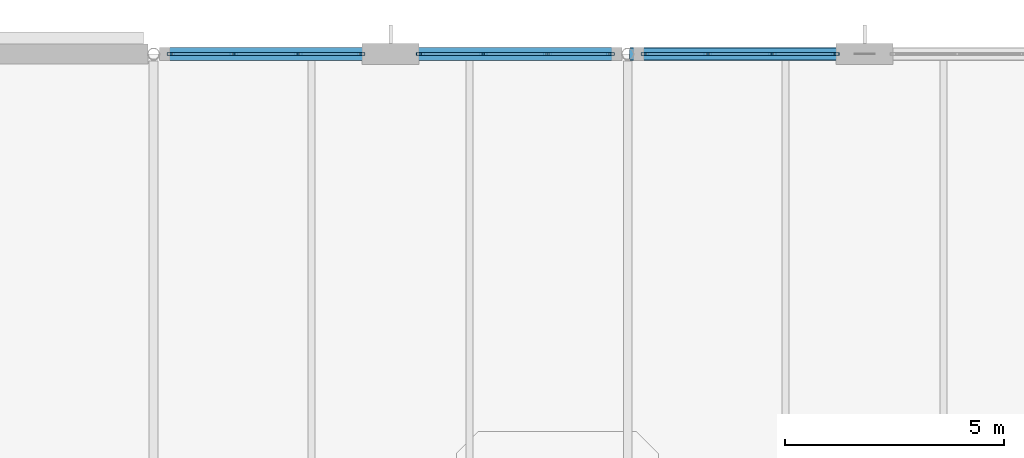
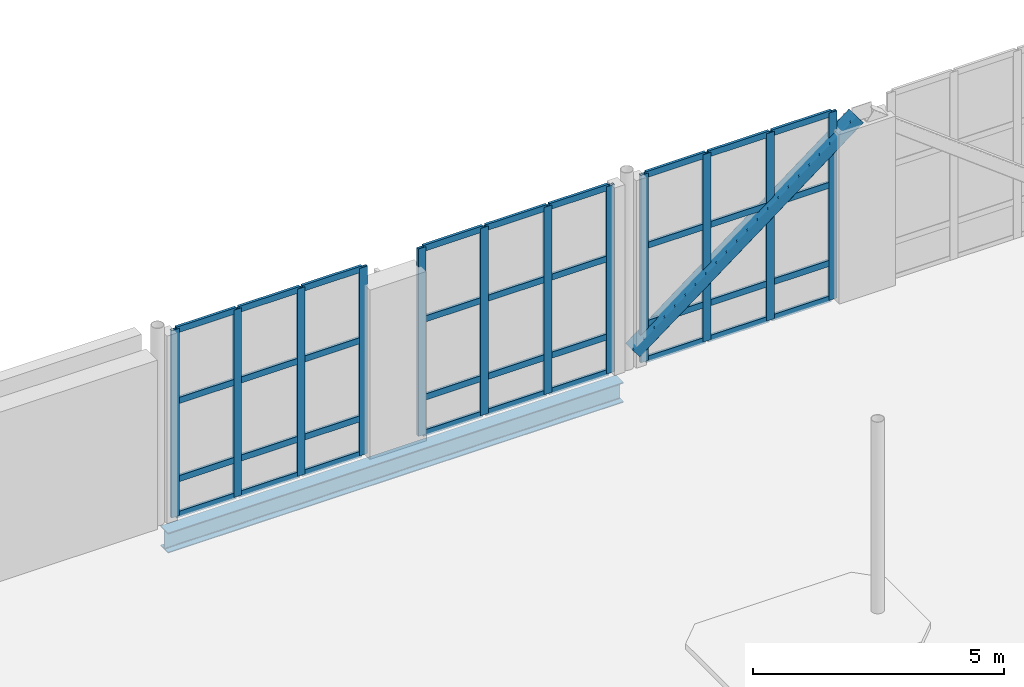
# One storey, part 44 of 100: 49 members, 1 beam, 3 elements without a shape of their own.
"""IFC4 building model written with IfcOpenShell, lengths in metres."""

import ifcopenshell
import ifcopenshell.guid

model = None  # the IFC model being written
_history = None  # IfcOwnerHistory: only IFC2X3 demands one
_inside = {}  # id of a spatial element -> (the spatial element, [elements in it])
_under = {}  # id of a project, library or spatial element -> (it, [spatial elements below it])
_declared = {}  # id of a project -> (the project, [libraries it declares])
_typed = {}  # id of a type object -> (the type object, [elements of that type])
_made_of = {}  # id of a material, layer set ... -> (it, [elements and type objects made of it])


def new_model(schema):
    """Start an empty IFC model of exactly this schema.

    Asked for "IFC4X3", IfcOpenShell would pick the latest addendum, in which some entities
    have other attributes; the version numbers below select the first issue.
    IFC2X3 requires an IfcOwnerHistory on every rooted entity: one is made here for all.
    """
    global model, _history
    if schema == "IFC4X3":
        model = ifcopenshell.file(schema_version=(4, 3, 0, 0))
    else:
        model = ifcopenshell.file(schema=schema)
    _inside.clear()
    _under.clear()
    _declared.clear()
    _typed.clear()
    _made_of.clear()
    _history = None
    if model.schema == "IFC2X3":
        org = make("IfcOrganization", Name="unknown")
        user = make(
            "IfcPersonAndOrganization",
            ThePerson=make("IfcPerson", FamilyName="unknown"),
            TheOrganization=org,
        )
        app = make(
            "IfcApplication",
            ApplicationDeveloper=org,
            Version="unknown",
            ApplicationFullName="unknown",
            ApplicationIdentifier="unknown",
        )
        _history = make(
            "IfcOwnerHistory",
            OwningUser=user,
            OwningApplication=app,
            ChangeAction="ADDED",
            CreationDate=0,
        )
    return model


def make(cls, **values):
    """One entity of the class cls with the attributes given. An attribute that is None is left unset."""
    return model.create_entity(
        cls, **{name: value for name, value in values.items() if value is not None}
    )


def rooted(cls, **values):
    """An entity with a GlobalId (a new one), such as an element, a storey or a relation."""
    return make(cls, GlobalId=ifcopenshell.guid.new(), OwnerHistory=_history, **values)


def si_unit(unit_type, name, prefix=None):
    """IfcSIUnit, for example si_unit("LENGTHUNIT", "METRE", prefix="MILLI")."""
    return make("IfcSIUnit", UnitType=unit_type, Prefix=prefix, Name=name)


def assignment(units):
    """IfcUnitAssignment: the units of a project."""
    return None if units is None else make("IfcUnitAssignment", Units=units)


def point(xyz):
    """IfcCartesianPoint."""
    return None if xyz is None else make("IfcCartesianPoint", Coordinates=xyz)


def direction(xyz):
    """IfcDirection."""
    return None if xyz is None else make("IfcDirection", DirectionRatios=xyz)


def frame(location, z_axis=None, x_axis=None):
    """IfcAxis2Placement3D, a coordinate frame: its origin and axes. An axis left out is left unset."""
    return make(
        "IfcAxis2Placement3D",
        Location=point(location),
        Axis=direction(z_axis),
        RefDirection=direction(x_axis),
    )


def frame_2d(location, x_axis=None):
    """IfcAxis2Placement2D, a coordinate frame in the plane: its origin and x axis."""
    return make(
        "IfcAxis2Placement2D", Location=point(location), RefDirection=direction(x_axis)
    )


def origin():
    """The frame at (0, 0, 0) with its axes left unset."""
    return frame((0.0, 0.0, 0.0))


def origin_2d():
    """The frame at (0, 0) in the plane with its x axis left unset."""
    return frame_2d((0.0, 0.0))


def place(relative_to, where):
    """IfcLocalPlacement: puts the frame where relative to a parent placement (None: the world)."""
    return make(
        "IfcLocalPlacement", PlacementRelTo=relative_to, RelativePlacement=where
    )


def context(
    kind, dimensions, precision=None, world=None, true_north=None, identifier=None
):
    """IfcGeometricRepresentationContext, for example the 3D "Model" context."""
    return make(
        "IfcGeometricRepresentationContext",
        ContextIdentifier=identifier,
        ContextType=kind,
        CoordinateSpaceDimension=dimensions,
        Precision=precision,
        WorldCoordinateSystem=world,
        TrueNorth=true_north,
    )


def subcontext(parent, identifier, kind, view, scale=None):
    """IfcGeometricRepresentationSubContext, for example "Body" below "Model"."""
    return make(
        "IfcGeometricRepresentationSubContext",
        ContextIdentifier=identifier,
        ContextType=kind,
        ParentContext=parent,
        TargetScale=scale,
        TargetView=view,
    )


def project(units=None, contexts=None):
    """IfcProject with its units and contexts."""
    return rooted(
        "IfcProject",
        Name="project",
        RepresentationContexts=contexts,
        UnitsInContext=assignment(units),
    )


def spatial(cls, under=None, at=None, **own):
    """A site, building, storey or space (cls), placed at a placement, below another one or the project."""
    s = rooted(cls, ObjectPlacement=at, **own)
    if under is not None:
        _under.setdefault(under.id(), (under, []))[1].append(s)
    return s


def profile(cls, at=None, kind="AREA", **sizes):
    """A parametric profile (cls). Its sizes go by their IFC names, for example OverallWidth=200.0."""
    return make(cls, ProfileType=kind, Position=at, **sizes)


def hollow_rectangle(**sizes):
    """IfcRectangleHollowProfileDef."""
    return profile("IfcRectangleHollowProfileDef", **sizes)


def i_section(**sizes):
    """IfcIShapeProfileDef."""
    return profile("IfcIShapeProfileDef", **sizes)


def extrude(swept, where, along, depth):
    """IfcExtrudedAreaSolid: the profile swept, set in the frame where, extruded along a direction by depth."""
    return make(
        "IfcExtrudedAreaSolid",
        SweptArea=swept,
        Position=where,
        ExtrudedDirection=direction(along),
        Depth=depth,
    )


def shape(context_of_items, identifier, shape_type, items):
    """IfcShapeRepresentation: the items that make up one representation, for example the "Body"."""
    return make(
        "IfcShapeRepresentation",
        ContextOfItems=context_of_items,
        RepresentationIdentifier=identifier,
        RepresentationType=shape_type,
        Items=items,
    )


def material(Name=None, Category=None):
    """IfcMaterial."""
    return make("IfcMaterial", Name=Name, Category=Category)


def layer(
    of_material, thickness, ventilated=None, Name=None, Category=None, Priority=None
):
    """IfcMaterialLayer: one layer of a wall or slab, of a material (None: an air gap)."""
    return make(
        "IfcMaterialLayer",
        Material=of_material,
        LayerThickness=thickness,
        IsVentilated=ventilated,
        Name=Name,
        Category=Category,
        Priority=Priority,
    )


def layer_set(layers, Name=None):
    """IfcMaterialLayerSet."""
    return make("IfcMaterialLayerSet", MaterialLayers=layers, LayerSetName=Name)


def material_profile(
    of_material, cross_section, Name=None, Category=None, Priority=None
):
    """IfcMaterialProfile: a cross section and its material."""
    return make(
        "IfcMaterialProfile",
        Name=Name,
        Material=of_material,
        Profile=cross_section,
        Priority=Priority,
        Category=Category,
    )


def profile_set(profiles, Name=None, composite=None):
    """IfcMaterialProfileSet."""
    return make(
        "IfcMaterialProfileSet",
        Name=Name,
        MaterialProfiles=profiles,
        CompositeProfile=composite,
    )


def made_of(thing, what):
    """Note that an element or type object is made of a material, layer set ...; save() writes the relation."""
    if what is not None:
        _made_of.setdefault(what.id(), (what, []))[1].append(thing)
    return thing


def type_object(cls, material=None, **own):
    """A type object (cls), such as IfcWallType, which elements share."""
    return made_of(rooted(cls, **own), material)


def element(
    cls,
    number,
    at=None,
    inside=None,
    cuts=None,
    type_object=None,
    material=None,
    context=None,
    identifier="Body",
    shape_type=None,
    held_by="IfcProductDefinitionShape",
    body=None,
    shapes=None,
    **own,
):
    """One element of the class cls, such as IfcWall. Its Tag is "e" and its number.

    at: its placement. inside: the storey or other place that contains it. cuts: it is an
    opening in that element (IfcRelVoidsElement). A single representation is given by context,
    identifier, shape_type and body (its items); several are given by shapes. held_by: the class
    of the entity that holds the representations. save() writes the other relations.
    """
    e = rooted(cls, Tag="e%d" % number, ObjectPlacement=at, **own)
    if body is not None:
        shapes = [shape(context, identifier, shape_type, body)]
    if shapes is not None:
        e.Representation = make(held_by, Representations=shapes)
    if inside is not None:
        _inside.setdefault(inside.id(), (inside, []))[1].append(e)
    if cuts is not None:
        rooted(
            "IfcRelVoidsElement", RelatingBuildingElement=cuts, RelatedOpeningElement=e
        )
    if type_object is not None:
        _typed.setdefault(type_object.id(), (type_object, []))[1].append(e)
    return made_of(e, material)


def aggregate(whole, parts):
    """IfcRelAggregates: a whole, such as a stair, and the parts it consists of."""
    return rooted("IfcRelAggregates", RelatingObject=whole, RelatedObjects=parts)


def save(model, path):
    """Write the relations noted so far, then the file.

    IfcRelAggregates (storeys below a building ...), IfcRelContainedInSpatialStructure (elements
    in a storey), IfcRelDefinesByType, IfcRelAssociatesMaterial and IfcRelDeclares: one each for
    every whole, place, type object, material and project.
    """
    for whole, parts in _under.values():
        aggregate(whole, parts)
    for where, things in _inside.values():
        rooted(
            "IfcRelContainedInSpatialStructure",
            RelatedElements=things,
            RelatingStructure=where,
        )
    for kind, things in _typed.values():
        rooted("IfcRelDefinesByType", RelatedObjects=things, RelatingType=kind)
    for what, things in _made_of.values():
        rooted("IfcRelAssociatesMaterial", RelatedObjects=things, RelatingMaterial=what)
    for by, libraries in _declared.values():
        rooted("IfcRelDeclares", RelatingContext=by, RelatedDefinitions=libraries)
    model.write(path)


model = new_model("IFC4")

# Units and contexts
model_context = context("Model", 3, precision=1e-05, world=origin(), true_north=direction((0.0, 1.0)))
body_context = subcontext(model_context, "Body", "Model", "MODEL_VIEW")
ifc_project = project(units=[si_unit("LENGTHUNIT", "METRE"), si_unit("AREAUNIT", "SQUARE_METRE"), si_unit("VOLUMEUNIT", "CUBIC_METRE"), si_unit("PLANEANGLEUNIT", "RADIAN"), si_unit("MASSUNIT", "GRAM", prefix="KILO")], contexts=[model_context])

# Site, building, storey
site_placement = place(None, origin())
site = spatial("IfcSite", under=ifc_project, at=site_placement, CompositionType="ELEMENT")
building_placement = place(site_placement, origin())
building = spatial("IfcBuilding", under=site, at=building_placement, Name="Tasgan Crest Museum", CompositionType="ELEMENT")
storey_placement = place(building_placement, frame((0.0, 0.0, 9.60009765625)))
storey = spatial("IfcBuildingStorey", under=building, at=storey_placement, Name="L02", CompositionType="ELEMENT", Elevation=9.60009765625)

# Beam
ifc_material_1 = material(Name="Steel S355J2", Category="steel")
ifc_material_profile_1 = material_profile(ifc_material_1, i_section(OverallWidth=0.300048828125, OverallDepth=0.489990234375, WebThickness=0.011962890625, FlangeThickness=0.02294921875, FilletRadius=0.027099609375, at=origin_2d()), Name="HEA 500")
ifc_profile_set_1 = profile_set([ifc_material_profile_1], Name="Steel S355J2")
beam_type = type_object("IfcBeamType", Name="BM-G-HEA500", PredefinedType="BEAM", material=ifc_profile_set_1)
beam_placement = place(storey_placement, frame((10.9580078125, 112.0, -0.485107421875), z_axis=(1.0, 0.0, 0.0), x_axis=(0.0, 1.0, 0.0)))
element("IfcBeam", 1, at=beam_placement, inside=storey, type_object=beam_type, Name="Girder L02 M 10.8-21.6", PredefinedType="BEAM", context=body_context, shape_type="SweptSolid", body=[
    extrude(i_section(OverallWidth=0.300048828125, OverallDepth=0.489990234375, WebThickness=0.011962890625, FlangeThickness=0.02294921875, FilletRadius=0.027099609375, at=origin_2d()), origin(), (0.0, 0.0, 1.0), 10.484130859375),
])

# Curtain wall, members
ifc_material_2 = material(Name="Triple-Glazed Aluminium Curtain Wall", Category="aluminium")
ifc_layer_1 = layer(ifc_material_2, 0.179931640625, Name="CW-GAL-X-48")
ifc_layer_set_1 = layer_set([ifc_layer_1], Name="Triple-Glazed Aluminium Curtain Wall")
curtain_wall_type_1 = type_object("IfcCurtainWallType", Name="CW-GAL-X-48", PredefinedType="NOTDEFINED", material=ifc_layer_set_1)
curtain_wall_1_placement = place(storey_placement, origin())
curtain_wall_1 = element("IfcCurtainWall", 2, at=curtain_wall_1_placement, inside=storey, type_object=curtain_wall_type_1, Name="Curtain wall L02 090", PredefinedType="NOTDEFINED")
ifc_material_3 = material(Name="Anodised Aluminium", Category="aluminium")
ifc_material_profile_2 = material_profile(ifc_material_3, hollow_rectangle(XDim=0.06494140625, YDim=0.179931640625, WallThickness=0.0048828125, at=origin_2d()), Name="ALU MULLION 180x65x5")
ifc_profile_set_2 = profile_set([ifc_material_profile_2], Name="Anodised Aluminium")
member_type_1 = type_object("IfcMemberType", Name="CW-MULLION-180", PredefinedType="MULLION", material=ifc_profile_set_2)
member_1_placement = place(storey_placement, frame((26.324951171875, 112.0, 0.0), z_axis=(0.0, 0.0, 1.0), x_axis=(0.0, -1.0, 0.0)))
member_1 = element("IfcMember", 3, at=member_1_placement, type_object=member_type_1, Name="CW13 mullion 1", PredefinedType="MULLION", context=body_context, shape_type="SweptSolid", body=[
    extrude(hollow_rectangle(XDim=0.06494140625, YDim=0.179931640625, WallThickness=0.0048828125, at=origin_2d()), origin(), (0.0, 0.0, 1.0), 4.559814453125),
])
member_2_placement = place(storey_placement, frame((24.8916015625, 112.0, 0.0), z_axis=(0.0, 0.0, 1.0), x_axis=(0.0, -1.0, 0.0)))
member_2 = element("IfcMember", 4, at=member_2_placement, type_object=member_type_1, Name="CW13 mullion 2", PredefinedType="MULLION", context=body_context, shape_type="SweptSolid", body=[
    extrude(hollow_rectangle(XDim=0.06494140625, YDim=0.179931640625, WallThickness=0.0048828125, at=origin_2d()), origin(), (0.0, 0.0, 1.0), 4.559814453125),
])
member_3_placement = place(storey_placement, frame((23.42822265625, 112.0, 0.0), z_axis=(0.0, 0.0, 1.0), x_axis=(0.0, -1.0, 0.0)))
member_3 = element("IfcMember", 5, at=member_3_placement, type_object=member_type_1, Name="CW13 mullion 3", PredefinedType="MULLION", context=body_context, shape_type="SweptSolid", body=[
    extrude(hollow_rectangle(XDim=0.06494140625, YDim=0.179931640625, WallThickness=0.0048828125, at=origin_2d()), origin(), (0.0, 0.0, 1.0), 4.559814453125),
])
member_4_placement = place(storey_placement, frame((21.9951171875, 112.0, 0.0), z_axis=(0.0, 0.0, 1.0), x_axis=(0.0, -1.0, 0.0)))
member_4 = element("IfcMember", 6, at=member_4_placement, type_object=member_type_1, Name="CW13 mullion 4", PredefinedType="MULLION", context=body_context, shape_type="SweptSolid", body=[
    extrude(hollow_rectangle(XDim=0.06494140625, YDim=0.179931640625, WallThickness=0.0048828125, at=origin_2d()), origin(), (0.0, 0.0, 1.0), 4.559814453125),
])

ifc_material_4 = material(Name="Triple-Glazed Aluminium Curtain Wall", Category="aluminium")
ifc_layer_2 = layer(ifc_material_4, 0.179931640625, Name="CW-CORE-STRIP-48")
ifc_layer_set_2 = layer_set([ifc_layer_2], Name="Triple-Glazed Aluminium Curtain Wall")
curtain_wall_type_2 = type_object("IfcCurtainWallType", Name="CW-CORE-STRIP-48", PredefinedType="NOTDEFINED", material=ifc_layer_set_2)
curtain_wall_2_placement = place(storey_placement, origin())
curtain_wall_2 = element("IfcCurtainWall", 7, at=curtain_wall_2_placement, inside=storey, type_object=curtain_wall_type_2, Name="Curtain wall L02 091", PredefinedType="NOTDEFINED")
member_5_placement = place(storey_placement, frame((21.205078125, 112.0, 0.0), z_axis=(0.0, 0.0, 1.0), x_axis=(0.0, -1.0, 0.0)))
member_5 = element("IfcMember", 8, at=member_5_placement, type_object=member_type_1, Name="CW19 mullion 1", PredefinedType="MULLION", context=body_context, shape_type="SweptSolid", body=[
    extrude(hollow_rectangle(XDim=0.06494140625, YDim=0.179931640625, WallThickness=0.0048828125, at=origin_2d()), origin(), (0.0, 0.0, 1.0), 4.559814453125),
])
member_6_placement = place(storey_placement, frame((19.771728515625, 112.0, 0.0), z_axis=(0.0, 0.0, 1.0), x_axis=(0.0, -1.0, 0.0)))
member_6 = element("IfcMember", 9, at=member_6_placement, type_object=member_type_1, Name="CW19 mullion 2", PredefinedType="MULLION", context=body_context, shape_type="SweptSolid", body=[
    extrude(hollow_rectangle(XDim=0.06494140625, YDim=0.179931640625, WallThickness=0.0048828125, at=origin_2d()), origin(), (0.0, 0.0, 1.0), 4.559814453125),
])
member_7_placement = place(storey_placement, frame((18.308349609375, 112.0, 0.0), z_axis=(0.0, 0.0, 1.0), x_axis=(0.0, -1.0, 0.0)))
member_7 = element("IfcMember", 10, at=member_7_placement, type_object=member_type_1, Name="CW19 mullion 3", PredefinedType="MULLION", context=body_context, shape_type="SweptSolid", body=[
    extrude(hollow_rectangle(XDim=0.06494140625, YDim=0.179931640625, WallThickness=0.0048828125, at=origin_2d()), origin(), (0.0, 0.0, 1.0), 4.559814453125),
])
member_8_placement = place(storey_placement, frame((16.875, 112.0, 0.0), z_axis=(0.0, 0.0, 1.0), x_axis=(0.0, -1.0, 0.0)))
member_8 = element("IfcMember", 11, at=member_8_placement, type_object=member_type_1, Name="CW19 mullion 4", PredefinedType="MULLION", context=body_context, shape_type="SweptSolid", body=[
    extrude(hollow_rectangle(XDim=0.06494140625, YDim=0.179931640625, WallThickness=0.0048828125, at=origin_2d()), origin(), (0.0, 0.0, 1.0), 4.559814453125),
])

curtain_wall_3_placement = place(storey_placement, origin())
curtain_wall_3 = element("IfcCurtainWall", 12, at=curtain_wall_3_placement, inside=storey, type_object=curtain_wall_type_2, Name="Curtain wall L02 092", PredefinedType="NOTDEFINED")
member_9_placement = place(storey_placement, frame((15.52490234375, 112.0, 0.0), z_axis=(0.0, 0.0, 1.0), x_axis=(0.0, -1.0, 0.0)))
member_9 = element("IfcMember", 13, at=member_9_placement, type_object=member_type_1, Name="CW19 mullion 1", PredefinedType="MULLION", context=body_context, shape_type="SweptSolid", body=[
    extrude(hollow_rectangle(XDim=0.06494140625, YDim=0.179931640625, WallThickness=0.0048828125, at=origin_2d()), origin(), (0.0, 0.0, 1.0), 4.559814453125),
])
member_10_placement = place(storey_placement, frame((14.091552734375, 112.0, 0.0), z_axis=(0.0, 0.0, 1.0), x_axis=(0.0, -1.0, 0.0)))
member_10 = element("IfcMember", 14, at=member_10_placement, type_object=member_type_1, Name="CW19 mullion 2", PredefinedType="MULLION", context=body_context, shape_type="SweptSolid", body=[
    extrude(hollow_rectangle(XDim=0.06494140625, YDim=0.179931640625, WallThickness=0.0048828125, at=origin_2d()), origin(), (0.0, 0.0, 1.0), 4.559814453125),
])
member_11_placement = place(storey_placement, frame((12.62841796875, 112.0, 0.0), z_axis=(0.0, 0.0, 1.0), x_axis=(0.0, -1.0, 0.0)))
member_11 = element("IfcMember", 15, at=member_11_placement, type_object=member_type_1, Name="CW19 mullion 3", PredefinedType="MULLION", context=body_context, shape_type="SweptSolid", body=[
    extrude(hollow_rectangle(XDim=0.06494140625, YDim=0.179931640625, WallThickness=0.0048828125, at=origin_2d()), origin(), (0.0, 0.0, 1.0), 4.559814453125),
])
member_12_placement = place(storey_placement, frame((11.195068359375, 112.0, 0.0), z_axis=(0.0, 0.0, 1.0), x_axis=(0.0, -1.0, 0.0)))
member_12 = element("IfcMember", 16, at=member_12_placement, type_object=member_type_1, Name="CW19 mullion 4", PredefinedType="MULLION", context=body_context, shape_type="SweptSolid", body=[
    extrude(hollow_rectangle(XDim=0.06494140625, YDim=0.179931640625, WallThickness=0.0048828125, at=origin_2d()), origin(), (0.0, 0.0, 1.0), 4.559814453125),
])

# Member
ifc_material_5 = material(Name="Anodised Aluminium", Category="aluminium")
ifc_material_profile_3 = material_profile(ifc_material_5, hollow_rectangle(XDim=0.06005859375, YDim=0.14990234375, WallThickness=0.0048828125, at=origin_2d()), Name="ALU TRANSOM 150x60x5")
ifc_profile_set_3 = profile_set([ifc_material_profile_3], Name="Anodised Aluminium")
member_type_2 = type_object("IfcMemberType", Name="CW-TRANSOM-150", PredefinedType="USERDEFINED", material=ifc_profile_set_3)
member_13_placement = place(storey_placement, frame((26.294921875, 112.0, 0.02978515625), z_axis=(-1.0, 0.0, 0.0), x_axis=(0.0, -1.0, 0.0)))
member_13 = element("IfcMember", 17, at=member_13_placement, type_object=member_type_2, Name="CW13 transom 1.1", ObjectType="TRANSOM", PredefinedType="USERDEFINED", context=body_context, shape_type="SweptSolid", body=[
    extrude(hollow_rectangle(XDim=0.06005859375, YDim=0.14990234375, WallThickness=0.0048828125, at=origin_2d()), origin(), (0.0, 0.0, 1.0), 1.373291015625),
])

member_14_placement = place(storey_placement, frame((26.294921875, 112.0, 0.89990234375), z_axis=(-1.0, 0.0, 0.0), x_axis=(0.0, -1.0, 0.0)))
member_14 = element("IfcMember", 18, at=member_14_placement, type_object=member_type_2, Name="CW13 transom 1.2", ObjectType="TRANSOM", PredefinedType="USERDEFINED", context=body_context, shape_type="SweptSolid", body=[
    extrude(hollow_rectangle(XDim=0.06005859375, YDim=0.14990234375, WallThickness=0.0048828125, at=origin_2d()), origin(), (0.0, 0.0, 1.0), 1.373291015625),
])

member_15_placement = place(storey_placement, frame((26.294921875, 112.0, 2.7998046875), z_axis=(-1.0, 0.0, 0.0), x_axis=(0.0, -1.0, 0.0)))
member_15 = element("IfcMember", 19, at=member_15_placement, type_object=member_type_2, Name="CW13 transom 1.3", ObjectType="TRANSOM", PredefinedType="USERDEFINED", context=body_context, shape_type="SweptSolid", body=[
    extrude(hollow_rectangle(XDim=0.06005859375, YDim=0.14990234375, WallThickness=0.0048828125, at=origin_2d()), origin(), (0.0, 0.0, 1.0), 1.373291015625),
])

member_16_placement = place(storey_placement, frame((26.294921875, 112.0, 4.52978515625), z_axis=(-1.0, 0.0, 0.0), x_axis=(0.0, -1.0, 0.0)))
member_16 = element("IfcMember", 20, at=member_16_placement, type_object=member_type_2, Name="CW13 transom 1.4", ObjectType="TRANSOM", PredefinedType="USERDEFINED", context=body_context, shape_type="SweptSolid", body=[
    extrude(hollow_rectangle(XDim=0.06005859375, YDim=0.14990234375, WallThickness=0.0048828125, at=origin_2d()), origin(), (0.0, 0.0, 1.0), 1.373291015625),
])

member_17_placement = place(storey_placement, frame((24.861572265625, 112.0, 0.02978515625), z_axis=(-1.0, 0.0, 0.0), x_axis=(0.0, -1.0, 0.0)))
member_17 = element("IfcMember", 21, at=member_17_placement, type_object=member_type_2, Name="CW13 transom 2.1", ObjectType="TRANSOM", PredefinedType="USERDEFINED", context=body_context, shape_type="SweptSolid", body=[
    extrude(hollow_rectangle(XDim=0.06005859375, YDim=0.14990234375, WallThickness=0.0048828125, at=origin_2d()), origin(), (0.0, 0.0, 1.0), 1.4033203125),
])

member_18_placement = place(storey_placement, frame((24.861572265625, 112.0, 0.89990234375), z_axis=(-1.0, 0.0, 0.0), x_axis=(0.0, -1.0, 0.0)))
member_18 = element("IfcMember", 22, at=member_18_placement, type_object=member_type_2, Name="CW13 transom 2.2", ObjectType="TRANSOM", PredefinedType="USERDEFINED", context=body_context, shape_type="SweptSolid", body=[
    extrude(hollow_rectangle(XDim=0.06005859375, YDim=0.14990234375, WallThickness=0.0048828125, at=origin_2d()), origin(), (0.0, 0.0, 1.0), 1.4033203125),
])

member_19_placement = place(storey_placement, frame((24.861572265625, 112.0, 2.7998046875), z_axis=(-1.0, 0.0, 0.0), x_axis=(0.0, -1.0, 0.0)))
member_19 = element("IfcMember", 23, at=member_19_placement, type_object=member_type_2, Name="CW13 transom 2.3", ObjectType="TRANSOM", PredefinedType="USERDEFINED", context=body_context, shape_type="SweptSolid", body=[
    extrude(hollow_rectangle(XDim=0.06005859375, YDim=0.14990234375, WallThickness=0.0048828125, at=origin_2d()), origin(), (0.0, 0.0, 1.0), 1.4033203125),
])

member_20_placement = place(storey_placement, frame((24.861572265625, 112.0, 4.52978515625), z_axis=(-1.0, 0.0, 0.0), x_axis=(0.0, -1.0, 0.0)))
member_20 = element("IfcMember", 24, at=member_20_placement, type_object=member_type_2, Name="CW13 transom 2.4", ObjectType="TRANSOM", PredefinedType="USERDEFINED", context=body_context, shape_type="SweptSolid", body=[
    extrude(hollow_rectangle(XDim=0.06005859375, YDim=0.14990234375, WallThickness=0.0048828125, at=origin_2d()), origin(), (0.0, 0.0, 1.0), 1.4033203125),
])

member_21_placement = place(storey_placement, frame((23.3984375, 112.0, 0.02978515625), z_axis=(-1.0, 0.0, 0.0), x_axis=(0.0, -1.0, 0.0)))
member_21 = element("IfcMember", 25, at=member_21_placement, type_object=member_type_2, Name="CW13 transom 3.1", ObjectType="TRANSOM", PredefinedType="USERDEFINED", context=body_context, shape_type="SweptSolid", body=[
    extrude(hollow_rectangle(XDim=0.06005859375, YDim=0.14990234375, WallThickness=0.0048828125, at=origin_2d()), origin(), (0.0, 0.0, 1.0), 1.37353515625),
])

member_22_placement = place(storey_placement, frame((23.3984375, 112.0, 0.89990234375), z_axis=(-1.0, 0.0, 0.0), x_axis=(0.0, -1.0, 0.0)))
member_22 = element("IfcMember", 26, at=member_22_placement, type_object=member_type_2, Name="CW13 transom 3.2", ObjectType="TRANSOM", PredefinedType="USERDEFINED", context=body_context, shape_type="SweptSolid", body=[
    extrude(hollow_rectangle(XDim=0.06005859375, YDim=0.14990234375, WallThickness=0.0048828125, at=origin_2d()), origin(), (0.0, 0.0, 1.0), 1.37353515625),
])

member_23_placement = place(storey_placement, frame((23.3984375, 112.0, 2.7998046875), z_axis=(-1.0, 0.0, 0.0), x_axis=(0.0, -1.0, 0.0)))
member_23 = element("IfcMember", 27, at=member_23_placement, type_object=member_type_2, Name="CW13 transom 3.3", ObjectType="TRANSOM", PredefinedType="USERDEFINED", context=body_context, shape_type="SweptSolid", body=[
    extrude(hollow_rectangle(XDim=0.06005859375, YDim=0.14990234375, WallThickness=0.0048828125, at=origin_2d()), origin(), (0.0, 0.0, 1.0), 1.37353515625),
])

member_24_placement = place(storey_placement, frame((23.3984375, 112.0, 4.52978515625), z_axis=(-1.0, 0.0, 0.0), x_axis=(0.0, -1.0, 0.0)))
member_24 = element("IfcMember", 28, at=member_24_placement, type_object=member_type_2, Name="CW13 transom 3.4", ObjectType="TRANSOM", PredefinedType="USERDEFINED", context=body_context, shape_type="SweptSolid", body=[
    extrude(hollow_rectangle(XDim=0.06005859375, YDim=0.14990234375, WallThickness=0.0048828125, at=origin_2d()), origin(), (0.0, 0.0, 1.0), 1.37353515625),
])

aggregate(curtain_wall_1, [member_1, member_2, member_3, member_4, member_13, member_14, member_15, member_16, member_17, member_18, member_19, member_20, member_21, member_22, member_23, member_24])

member_25_placement = place(storey_placement, frame((21.175048828125, 112.0, 0.02978515625), z_axis=(-1.0, 0.0, 0.0), x_axis=(0.0, -1.0, 0.0)))
member_25 = element("IfcMember", 29, at=member_25_placement, type_object=member_type_2, Name="CW19 transom 1.1", ObjectType="TRANSOM", PredefinedType="USERDEFINED", context=body_context, shape_type="SweptSolid", body=[
    extrude(hollow_rectangle(XDim=0.06005859375, YDim=0.14990234375, WallThickness=0.0048828125, at=origin_2d()), origin(), (0.0, 0.0, 1.0), 1.373291015625),
])

member_26_placement = place(storey_placement, frame((21.175048828125, 112.0, 0.89990234375), z_axis=(-1.0, 0.0, 0.0), x_axis=(0.0, -1.0, 0.0)))
member_26 = element("IfcMember", 30, at=member_26_placement, type_object=member_type_2, Name="CW19 transom 1.2", ObjectType="TRANSOM", PredefinedType="USERDEFINED", context=body_context, shape_type="SweptSolid", body=[
    extrude(hollow_rectangle(XDim=0.06005859375, YDim=0.14990234375, WallThickness=0.0048828125, at=origin_2d()), origin(), (0.0, 0.0, 1.0), 1.373291015625),
])

member_27_placement = place(storey_placement, frame((21.175048828125, 112.0, 2.7998046875), z_axis=(-1.0, 0.0, 0.0), x_axis=(0.0, -1.0, 0.0)))
member_27 = element("IfcMember", 31, at=member_27_placement, type_object=member_type_2, Name="CW19 transom 1.3", ObjectType="TRANSOM", PredefinedType="USERDEFINED", context=body_context, shape_type="SweptSolid", body=[
    extrude(hollow_rectangle(XDim=0.06005859375, YDim=0.14990234375, WallThickness=0.0048828125, at=origin_2d()), origin(), (0.0, 0.0, 1.0), 1.373291015625),
])

member_28_placement = place(storey_placement, frame((21.175048828125, 112.0, 4.52978515625), z_axis=(-1.0, 0.0, 0.0), x_axis=(0.0, -1.0, 0.0)))
member_28 = element("IfcMember", 32, at=member_28_placement, type_object=member_type_2, Name="CW19 transom 1.4", ObjectType="TRANSOM", PredefinedType="USERDEFINED", context=body_context, shape_type="SweptSolid", body=[
    extrude(hollow_rectangle(XDim=0.06005859375, YDim=0.14990234375, WallThickness=0.0048828125, at=origin_2d()), origin(), (0.0, 0.0, 1.0), 1.373291015625),
])

member_29_placement = place(storey_placement, frame((19.74169921875, 112.0, 0.02978515625), z_axis=(-1.0, 0.0, 0.0), x_axis=(0.0, -1.0, 0.0)))
member_29 = element("IfcMember", 33, at=member_29_placement, type_object=member_type_2, Name="CW19 transom 2.1", ObjectType="TRANSOM", PredefinedType="USERDEFINED", context=body_context, shape_type="SweptSolid", body=[
    extrude(hollow_rectangle(XDim=0.06005859375, YDim=0.14990234375, WallThickness=0.0048828125, at=origin_2d()), origin(), (0.0, 0.0, 1.0), 1.4033203125),
])

member_30_placement = place(storey_placement, frame((19.74169921875, 112.0, 0.89990234375), z_axis=(-1.0, 0.0, 0.0), x_axis=(0.0, -1.0, 0.0)))
member_30 = element("IfcMember", 34, at=member_30_placement, type_object=member_type_2, Name="CW19 transom 2.2", ObjectType="TRANSOM", PredefinedType="USERDEFINED", context=body_context, shape_type="SweptSolid", body=[
    extrude(hollow_rectangle(XDim=0.06005859375, YDim=0.14990234375, WallThickness=0.0048828125, at=origin_2d()), origin(), (0.0, 0.0, 1.0), 1.4033203125),
])

member_31_placement = place(storey_placement, frame((19.74169921875, 112.0, 2.7998046875), z_axis=(-1.0, 0.0, 0.0), x_axis=(0.0, -1.0, 0.0)))
member_31 = element("IfcMember", 35, at=member_31_placement, type_object=member_type_2, Name="CW19 transom 2.3", ObjectType="TRANSOM", PredefinedType="USERDEFINED", context=body_context, shape_type="SweptSolid", body=[
    extrude(hollow_rectangle(XDim=0.06005859375, YDim=0.14990234375, WallThickness=0.0048828125, at=origin_2d()), origin(), (0.0, 0.0, 1.0), 1.4033203125),
])

member_32_placement = place(storey_placement, frame((19.74169921875, 112.0, 4.52978515625), z_axis=(-1.0, 0.0, 0.0), x_axis=(0.0, -1.0, 0.0)))
member_32 = element("IfcMember", 36, at=member_32_placement, type_object=member_type_2, Name="CW19 transom 2.4", ObjectType="TRANSOM", PredefinedType="USERDEFINED", context=body_context, shape_type="SweptSolid", body=[
    extrude(hollow_rectangle(XDim=0.06005859375, YDim=0.14990234375, WallThickness=0.0048828125, at=origin_2d()), origin(), (0.0, 0.0, 1.0), 1.4033203125),
])

member_33_placement = place(storey_placement, frame((18.2783203125, 112.0, 0.02978515625), z_axis=(-1.0, 0.0, 0.0), x_axis=(0.0, -1.0, 0.0)))
member_33 = element("IfcMember", 37, at=member_33_placement, type_object=member_type_2, Name="CW19 transom 3.1", ObjectType="TRANSOM", PredefinedType="USERDEFINED", context=body_context, shape_type="SweptSolid", body=[
    extrude(hollow_rectangle(XDim=0.06005859375, YDim=0.14990234375, WallThickness=0.0048828125, at=origin_2d()), origin(), (0.0, 0.0, 1.0), 1.373291015625),
])

member_34_placement = place(storey_placement, frame((18.2783203125, 112.0, 0.89990234375), z_axis=(-1.0, 0.0, 0.0), x_axis=(0.0, -1.0, 0.0)))
member_34 = element("IfcMember", 38, at=member_34_placement, type_object=member_type_2, Name="CW19 transom 3.2", ObjectType="TRANSOM", PredefinedType="USERDEFINED", context=body_context, shape_type="SweptSolid", body=[
    extrude(hollow_rectangle(XDim=0.06005859375, YDim=0.14990234375, WallThickness=0.0048828125, at=origin_2d()), origin(), (0.0, 0.0, 1.0), 1.373291015625),
])

member_35_placement = place(storey_placement, frame((18.2783203125, 112.0, 2.7998046875), z_axis=(-1.0, 0.0, 0.0), x_axis=(0.0, -1.0, 0.0)))
member_35 = element("IfcMember", 39, at=member_35_placement, type_object=member_type_2, Name="CW19 transom 3.3", ObjectType="TRANSOM", PredefinedType="USERDEFINED", context=body_context, shape_type="SweptSolid", body=[
    extrude(hollow_rectangle(XDim=0.06005859375, YDim=0.14990234375, WallThickness=0.0048828125, at=origin_2d()), origin(), (0.0, 0.0, 1.0), 1.373291015625),
])

member_36_placement = place(storey_placement, frame((18.2783203125, 112.0, 4.52978515625), z_axis=(-1.0, 0.0, 0.0), x_axis=(0.0, -1.0, 0.0)))
member_36 = element("IfcMember", 40, at=member_36_placement, type_object=member_type_2, Name="CW19 transom 3.4", ObjectType="TRANSOM", PredefinedType="USERDEFINED", context=body_context, shape_type="SweptSolid", body=[
    extrude(hollow_rectangle(XDim=0.06005859375, YDim=0.14990234375, WallThickness=0.0048828125, at=origin_2d()), origin(), (0.0, 0.0, 1.0), 1.373291015625),
])

aggregate(curtain_wall_2, [member_5, member_6, member_7, member_8, member_25, member_26, member_27, member_28, member_29, member_30, member_31, member_32, member_33, member_34, member_35, member_36])

member_37_placement = place(storey_placement, frame((15.4951171875, 112.0, 0.02978515625), z_axis=(-1.0, 0.0, 0.0), x_axis=(0.0, -1.0, 0.0)))
member_37 = element("IfcMember", 41, at=member_37_placement, type_object=member_type_2, Name="CW19 transom 1.1", ObjectType="TRANSOM", PredefinedType="USERDEFINED", context=body_context, shape_type="SweptSolid", body=[
    extrude(hollow_rectangle(XDim=0.06005859375, YDim=0.14990234375, WallThickness=0.0048828125, at=origin_2d()), origin(), (0.0, 0.0, 1.0), 1.37353515625),
])

member_38_placement = place(storey_placement, frame((15.4951171875, 112.0, 0.89990234375), z_axis=(-1.0, 0.0, 0.0), x_axis=(0.0, -1.0, 0.0)))
member_38 = element("IfcMember", 42, at=member_38_placement, type_object=member_type_2, Name="CW19 transom 1.2", ObjectType="TRANSOM", PredefinedType="USERDEFINED", context=body_context, shape_type="SweptSolid", body=[
    extrude(hollow_rectangle(XDim=0.06005859375, YDim=0.14990234375, WallThickness=0.0048828125, at=origin_2d()), origin(), (0.0, 0.0, 1.0), 1.37353515625),
])

member_39_placement = place(storey_placement, frame((15.4951171875, 112.0, 2.7998046875), z_axis=(-1.0, 0.0, 0.0), x_axis=(0.0, -1.0, 0.0)))
member_39 = element("IfcMember", 43, at=member_39_placement, type_object=member_type_2, Name="CW19 transom 1.3", ObjectType="TRANSOM", PredefinedType="USERDEFINED", context=body_context, shape_type="SweptSolid", body=[
    extrude(hollow_rectangle(XDim=0.06005859375, YDim=0.14990234375, WallThickness=0.0048828125, at=origin_2d()), origin(), (0.0, 0.0, 1.0), 1.37353515625),
])

member_40_placement = place(storey_placement, frame((15.4951171875, 112.0, 4.52978515625), z_axis=(-1.0, 0.0, 0.0), x_axis=(0.0, -1.0, 0.0)))
member_40 = element("IfcMember", 44, at=member_40_placement, type_object=member_type_2, Name="CW19 transom 1.4", ObjectType="TRANSOM", PredefinedType="USERDEFINED", context=body_context, shape_type="SweptSolid", body=[
    extrude(hollow_rectangle(XDim=0.06005859375, YDim=0.14990234375, WallThickness=0.0048828125, at=origin_2d()), origin(), (0.0, 0.0, 1.0), 1.37353515625),
])

member_41_placement = place(storey_placement, frame((14.061767578125, 112.0, 0.02978515625), z_axis=(-1.0, 0.0, 0.0), x_axis=(0.0, -1.0, 0.0)))
member_41 = element("IfcMember", 45, at=member_41_placement, type_object=member_type_2, Name="CW19 transom 2.1", ObjectType="TRANSOM", PredefinedType="USERDEFINED", context=body_context, shape_type="SweptSolid", body=[
    extrude(hollow_rectangle(XDim=0.06005859375, YDim=0.14990234375, WallThickness=0.0048828125, at=origin_2d()), origin(), (0.0, 0.0, 1.0), 1.4033203125),
])

member_42_placement = place(storey_placement, frame((14.061767578125, 112.0, 0.89990234375), z_axis=(-1.0, 0.0, 0.0), x_axis=(0.0, -1.0, 0.0)))
member_42 = element("IfcMember", 46, at=member_42_placement, type_object=member_type_2, Name="CW19 transom 2.2", ObjectType="TRANSOM", PredefinedType="USERDEFINED", context=body_context, shape_type="SweptSolid", body=[
    extrude(hollow_rectangle(XDim=0.06005859375, YDim=0.14990234375, WallThickness=0.0048828125, at=origin_2d()), origin(), (0.0, 0.0, 1.0), 1.4033203125),
])

member_43_placement = place(storey_placement, frame((14.061767578125, 112.0, 2.7998046875), z_axis=(-1.0, 0.0, 0.0), x_axis=(0.0, -1.0, 0.0)))
member_43 = element("IfcMember", 47, at=member_43_placement, type_object=member_type_2, Name="CW19 transom 2.3", ObjectType="TRANSOM", PredefinedType="USERDEFINED", context=body_context, shape_type="SweptSolid", body=[
    extrude(hollow_rectangle(XDim=0.06005859375, YDim=0.14990234375, WallThickness=0.0048828125, at=origin_2d()), origin(), (0.0, 0.0, 1.0), 1.4033203125),
])

member_44_placement = place(storey_placement, frame((14.061767578125, 112.0, 4.52978515625), z_axis=(-1.0, 0.0, 0.0), x_axis=(0.0, -1.0, 0.0)))
member_44 = element("IfcMember", 48, at=member_44_placement, type_object=member_type_2, Name="CW19 transom 2.4", ObjectType="TRANSOM", PredefinedType="USERDEFINED", context=body_context, shape_type="SweptSolid", body=[
    extrude(hollow_rectangle(XDim=0.06005859375, YDim=0.14990234375, WallThickness=0.0048828125, at=origin_2d()), origin(), (0.0, 0.0, 1.0), 1.4033203125),
])

member_45_placement = place(storey_placement, frame((12.598388671875, 112.0, 0.02978515625), z_axis=(-1.0, 0.0, 0.0), x_axis=(0.0, -1.0, 0.0)))
member_45 = element("IfcMember", 49, at=member_45_placement, type_object=member_type_2, Name="CW19 transom 3.1", ObjectType="TRANSOM", PredefinedType="USERDEFINED", context=body_context, shape_type="SweptSolid", body=[
    extrude(hollow_rectangle(XDim=0.06005859375, YDim=0.14990234375, WallThickness=0.0048828125, at=origin_2d()), origin(), (0.0, 0.0, 1.0), 1.373291015625),
])

member_46_placement = place(storey_placement, frame((12.598388671875, 112.0, 0.89990234375), z_axis=(-1.0, 0.0, 0.0), x_axis=(0.0, -1.0, 0.0)))
member_46 = element("IfcMember", 50, at=member_46_placement, type_object=member_type_2, Name="CW19 transom 3.2", ObjectType="TRANSOM", PredefinedType="USERDEFINED", context=body_context, shape_type="SweptSolid", body=[
    extrude(hollow_rectangle(XDim=0.06005859375, YDim=0.14990234375, WallThickness=0.0048828125, at=origin_2d()), origin(), (0.0, 0.0, 1.0), 1.373291015625),
])

member_47_placement = place(storey_placement, frame((12.598388671875, 112.0, 2.7998046875), z_axis=(-1.0, 0.0, 0.0), x_axis=(0.0, -1.0, 0.0)))
member_47 = element("IfcMember", 51, at=member_47_placement, type_object=member_type_2, Name="CW19 transom 3.3", ObjectType="TRANSOM", PredefinedType="USERDEFINED", context=body_context, shape_type="SweptSolid", body=[
    extrude(hollow_rectangle(XDim=0.06005859375, YDim=0.14990234375, WallThickness=0.0048828125, at=origin_2d()), origin(), (0.0, 0.0, 1.0), 1.373291015625),
])

member_48_placement = place(storey_placement, frame((12.598388671875, 112.0, 4.52978515625), z_axis=(-1.0, 0.0, 0.0), x_axis=(0.0, -1.0, 0.0)))
member_48 = element("IfcMember", 52, at=member_48_placement, type_object=member_type_2, Name="CW19 transom 3.4", ObjectType="TRANSOM", PredefinedType="USERDEFINED", context=body_context, shape_type="SweptSolid", body=[
    extrude(hollow_rectangle(XDim=0.06005859375, YDim=0.14990234375, WallThickness=0.0048828125, at=origin_2d()), origin(), (0.0, 0.0, 1.0), 1.373291015625),
])

aggregate(curtain_wall_3, [member_9, member_10, member_11, member_12, member_37, member_38, member_39, member_40, member_41, member_42, member_43, member_44, member_45, member_46, member_47, member_48])

ifc_material_6 = material(Name="Steel S355K2", Category="steel")
ifc_material_profile_4 = material_profile(ifc_material_6, hollow_rectangle(XDim=0.300048828125, YDim=0.300048828125, WallThickness=0.01611328125, InnerFilletRadius=0.01611328125, OuterFilletRadius=0.031982421875, at=origin_2d()), Name="SHS 300x300x16")
ifc_profile_set_4 = profile_set([ifc_material_profile_4], Name="Steel S355K2")
member_type_3 = type_object("IfcMemberType", Name="MEM-BR-SHS300", PredefinedType="BRACE", material=ifc_profile_set_4)
member_49_placement = place(storey_placement, frame((21.736572265625, 112.0, 0.349853515625), z_axis=(0.796816226628, 0.0, 0.604221731637), x_axis=(0.0, 1.0, 0.0)))
element("IfcMember", 53, at=member_49_placement, inside=storey, type_object=member_type_3, Name="Chevron brace L L02 M 21.6", PredefinedType="BRACE", context=body_context, shape_type="SweptSolid", body=[
    extrude(hollow_rectangle(XDim=0.300048828125, YDim=0.300048828125, WallThickness=0.01611328125, InnerFilletRadius=0.01611328125, OuterFilletRadius=0.031982421875, at=origin_2d()), origin(), (0.0, 0.0, 1.0), 6.454833984375),
])

save(model, "model.ifc")
